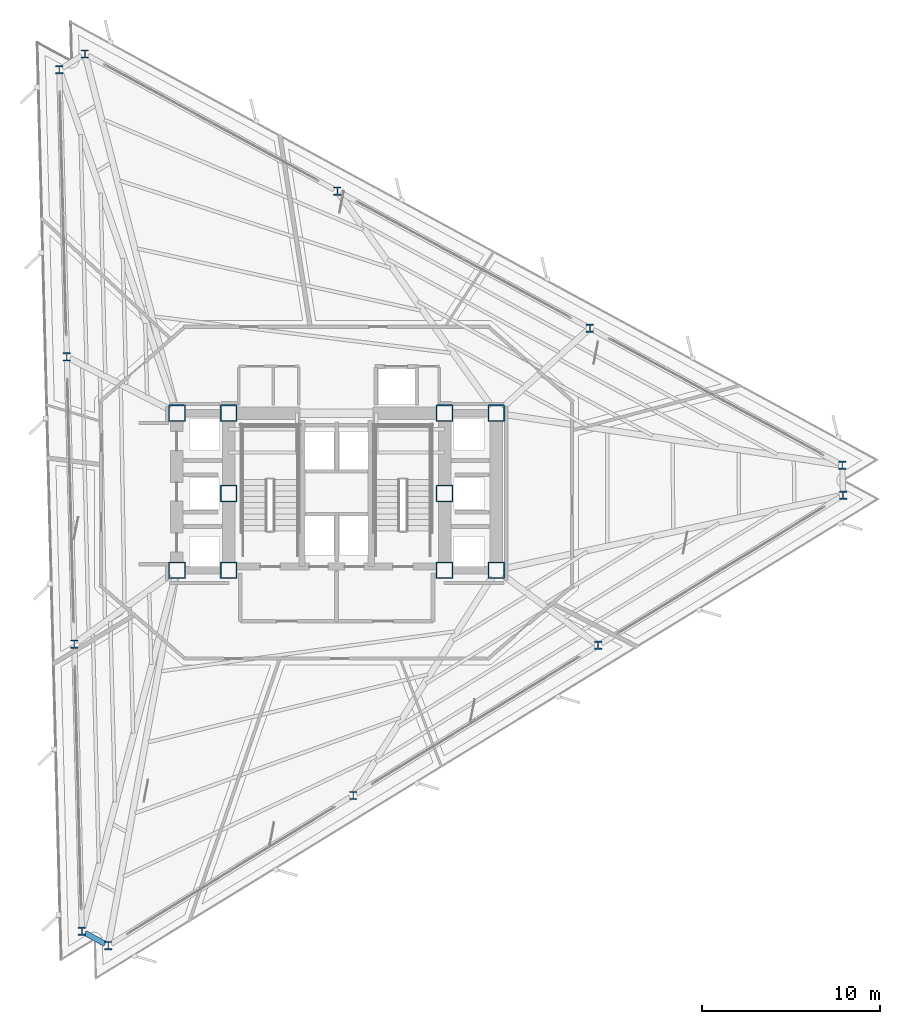
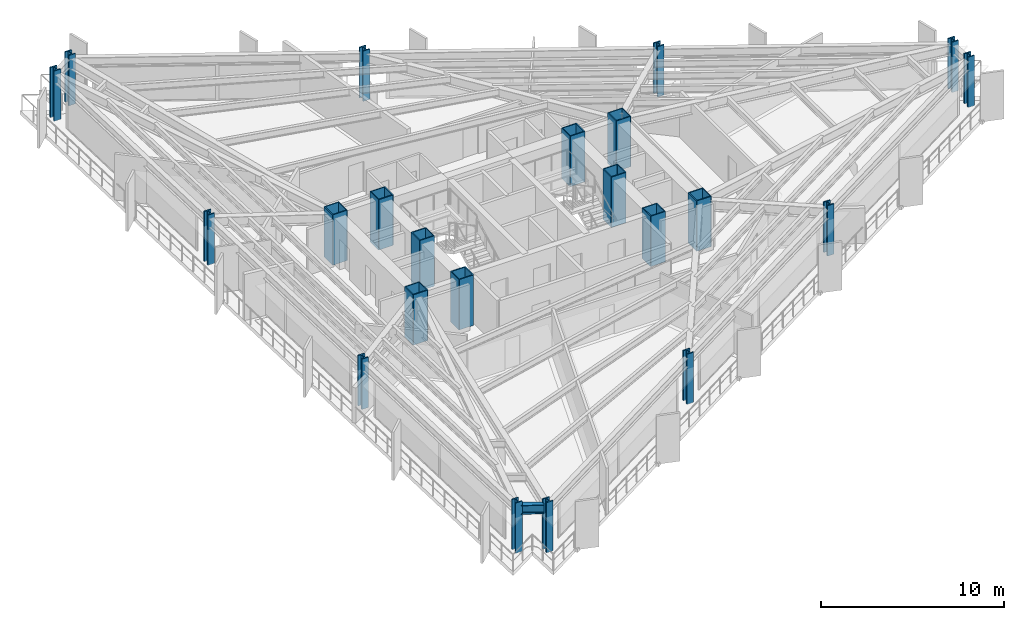
# One storey, part 1 of 14: 22 columns, 1 beam.
"""IFC4 building model written with IfcOpenShell, lengths in metres."""

from ifc_helpers import new_model, si_unit, direction, frame, origin, origin_2d, place, context, subcontext, project, spatial, hollow_rectangle, i_section, extrude, material, material_profile, profile_set, type_object, element, save


model = new_model("IFC4")

# Units and contexts
model_context = context("Model", 3, precision=1e-05, world=origin(), true_north=direction((0.0, 1.0)))
body_context = subcontext(model_context, "Body", "Model", "MODEL_VIEW")
ifc_project = project(units=[si_unit("LENGTHUNIT", "METRE"), si_unit("AREAUNIT", "SQUARE_METRE"), si_unit("VOLUMEUNIT", "CUBIC_METRE"), si_unit("PLANEANGLEUNIT", "RADIAN"), si_unit("MASSUNIT", "GRAM", prefix="KILO")], contexts=[model_context])

# Site, building, storey
site_placement = place(None, origin())
site = spatial("IfcSite", under=ifc_project, at=site_placement, CompositionType="ELEMENT")
building_placement = place(site_placement, origin())
building = spatial("IfcBuilding", under=site, at=building_placement, Name="Rocaltana Carrier Exchange", CompositionType="ELEMENT")
storey_placement = place(building_placement, frame((0.0, 0.0, 35.679931640625)))
storey = spatial("IfcBuildingStorey", under=building, at=storey_placement, Name="L11", CompositionType="ELEMENT", Elevation=35.679931640625)

# Columns
ifc_material_1 = material(Name="Steel S460", Category="steel")
ifc_material_profile_1 = material_profile(ifc_material_1, hollow_rectangle(XDim=0.949951171875, YDim=0.949951171875, WallThickness=0.06005859375, InnerFilletRadius=0.02001953125, OuterFilletRadius=0.0400390625, at=origin_2d()), Name="BOX950X950X60")
ifc_profile_set_1 = profile_set([ifc_material_profile_1], Name="Steel S460")
column_type_1 = type_object("IfcColumnType", Name="Core Mega-Column BOX950", PredefinedType="COLUMN", material=ifc_profile_set_1)
for number, where, z_axis, x_axis, name in (
    (1, (-6.050048828125, 4.5, 0.0), (0.0, 0.0, 1.0), (1.0, 0.0, 0.0), "L11 Core Mega-Column MC1"),
    (2, (6.050048828125, 4.5, 0.0), (0.0, 0.0, 1.0), (1.0, 0.0, 0.0), "L11 Core Mega-Column MC2"),
    (3, (-6.050048828125, 0.0, 0.0), (0.0, 0.0, 1.0), (1.0, 0.0, 0.0), "L11 Core Mega-Column MC3"),
    (4, (6.050048828125, 0.0, 0.0), (0.0, 0.0, 1.0), (1.0, 0.0, 0.0), "L11 Core Mega-Column MC4"),
    (5, (-6.050048828125, -4.300048828125, 0.0), (0.0, 0.0, 1.0), (1.0, 0.0, 0.0), "L11 Core Mega-Column MC5"),
    (6, (6.050048828125, -4.300048828125, 0.0), (0.0, 0.0, 1.0), (1.0, 0.0, 0.0), "L11 Core Mega-Column MC6"),
    (7, (-8.949951171875, 4.5, 0.0), (0.0, 0.0, 1.0), (1.0, 0.0, 0.0), "L11 West Core Column WC1"),
    (8, (-8.949951171875, -4.300048828125, 0.0), (0.0, 0.0, 1.0), (1.0, 0.0, 0.0), "L11 West Core Column WC2"),
    (9, (8.949951171875, 4.5, 0.0), (0.0, 0.0, 1.0), (1.0, 0.0, 0.0), "L11 East Core Column EC1"),
    (10, (8.949951171875, -4.300048828125, 0.0), (0.0, 0.0, 1.0), (1.0, 0.0, 0.0), "L11 East Core Column EC2"),
):
    element("IfcColumn", number, at=place(storey_placement, frame(where, z_axis=z_axis, x_axis=x_axis)), inside=storey, type_object=column_type_1, Name=name, PredefinedType="COLUMN", context=body_context, shape_type="SweptSolid", body=[
        extrude(hollow_rectangle(XDim=0.949951171875, YDim=0.949951171875, WallThickness=0.06005859375, InnerFilletRadius=0.02001953125, OuterFilletRadius=0.0400390625, at=origin_2d()), origin(), (0.0, 0.0, 1.0), 3.360107421875),
    ])
ifc_material_2 = material(Name="Steel S460", Category="steel")
ifc_material_profile_2 = material_profile(ifc_material_2, i_section(OverallWidth=0.424072265625, OverallDepth=0.47412109375, WebThickness=0.047607421875, FlangeThickness=0.0771484375, FilletRadius=0.02490234375, at=origin_2d()), Name="W14X426")
ifc_profile_set_2 = profile_set([ifc_material_profile_2], Name="Steel S460")
column_type_2 = type_object("IfcColumnType", Name="Perimeter Column W14X426", PredefinedType="COLUMN", material=ifc_profile_set_2)
for number, where, z_axis, x_axis, name in (
    (11, (28.340576171875, 1.5849609375, 0.0), (0.0, 0.0, 1.0), (1.0, 0.0, 0.0), "L11 Perimeter Column TC01"),
    (12, (14.191650390625, 9.26708984375, 0.0), (0.0, 0.0, 1.0), (1.0, 0.0, 0.0), "L11 Perimeter Column TC02"),
    (13, (0.042724609375, 16.949462890625, 0.0), (0.0, 0.0, 1.0), (1.0, 0.0, 0.0), "L11 Perimeter Column TC03"),
    (14, (-14.106201171875, 24.631591796875, 0.0), (0.0, 0.0, 1.0), (1.0, 0.0, 0.0), "L11 Perimeter Column TC04"),
    (15, (-15.54296875, 23.751220703125, 0.0), (0.0, 0.0, 1.0), (1.0, 0.0, 0.0), "L11 Perimeter Column TC05"),
    (16, (-15.121337890625, 7.65673828125, 0.0), (0.0, 0.0, 1.0), (1.0, 0.0, 0.0), "L11 Perimeter Column TC06"),
    (17, (-14.699951171875, -8.437744140625, 0.0), (0.0, 0.0, 1.0), (1.0, 0.0, 0.0), "L11 Perimeter Column TC07"),
    (18, (-14.278564453125, -24.5322265625, 0.0), (0.0, 0.0, 1.0), (1.0, 0.0, 0.0), "L11 Perimeter Column TC08"),
    (19, (-12.7978515625, -25.336181640625, 0.0), (0.0, 0.0, 1.0), (1.0, 0.0, 0.0), "L11 Perimeter Column TC09"),
    (20, (0.9296875, -16.923828125, 0.0), (0.0, 0.0, 1.0), (1.0, 0.0, 0.0), "L11 Perimeter Column TC10"),
    (21, (14.6572265625, -8.51171875, 0.0), (0.0, 0.0, 1.0), (1.0, 0.0, 0.0), "L11 Perimeter Column TC11"),
    (22, (28.384765625, -0.099609375, 0.0), (0.0, 0.0, 1.0), (1.0, 0.0, 0.0), "L11 Perimeter Column TC12"),
):
    element("IfcColumn", number, at=place(storey_placement, frame(where, z_axis=z_axis, x_axis=x_axis)), inside=storey, type_object=column_type_2, Name=name, PredefinedType="COLUMN", context=body_context, shape_type="SweptSolid", body=[
        extrude(i_section(OverallWidth=0.424072265625, OverallDepth=0.47412109375, WebThickness=0.047607421875, FlangeThickness=0.0771484375, FilletRadius=0.02490234375, at=origin_2d()), origin(), (0.0, 0.0, 1.0), 3.360107421875),
    ])

# Beam
ifc_material_3 = material(Name="Steel S355", Category="steel")
ifc_material_profile_3 = material_profile(ifc_material_3, i_section(OverallWidth=0.300048828125, OverallDepth=0.60009765625, WebThickness=0.015380859375, FlangeThickness=0.030029296875, FilletRadius=0.027099609375, at=origin_2d()), Name="HEB600")
ifc_profile_set_3 = profile_set([ifc_material_profile_3], Name="Steel S355")
beam_type = type_object("IfcBeamType", Name="Spandrel Edge Beam HEB600", PredefinedType="SPANDREL", material=ifc_profile_set_3)
beam_placement = place(storey_placement, frame((-14.09912109375, -24.62939453125, 2.798095703125), z_axis=(0.878690764039, -0.477391392038, 0.0), x_axis=(0.477391392038, 0.878690764039, 0.0)))
element("IfcBeam", 23, at=beam_placement, inside=storey, type_object=beam_type, Name="SP-L11-08", PredefinedType="SPANDREL", context=body_context, shape_type="SweptSolid", body=[
    extrude(i_section(OverallWidth=0.300048828125, OverallDepth=0.60009765625, WebThickness=0.015380859375, FlangeThickness=0.030029296875, FilletRadius=0.027099609375, at=origin_2d()), origin(), (0.0, 0.0, 1.0), 1.277099609375),
])

save(model, "model.ifc")
